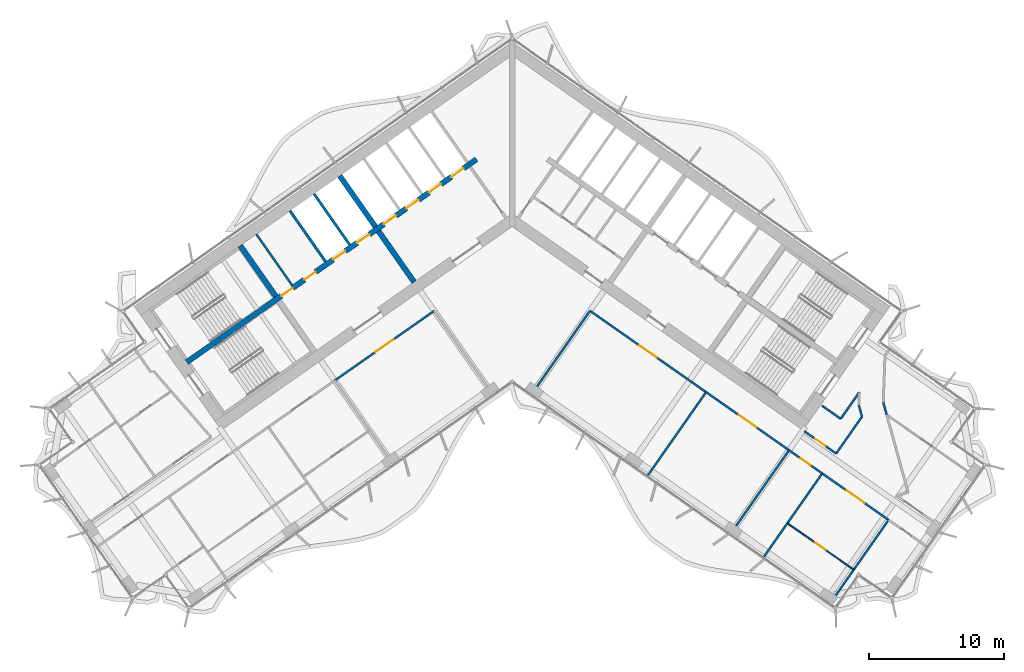
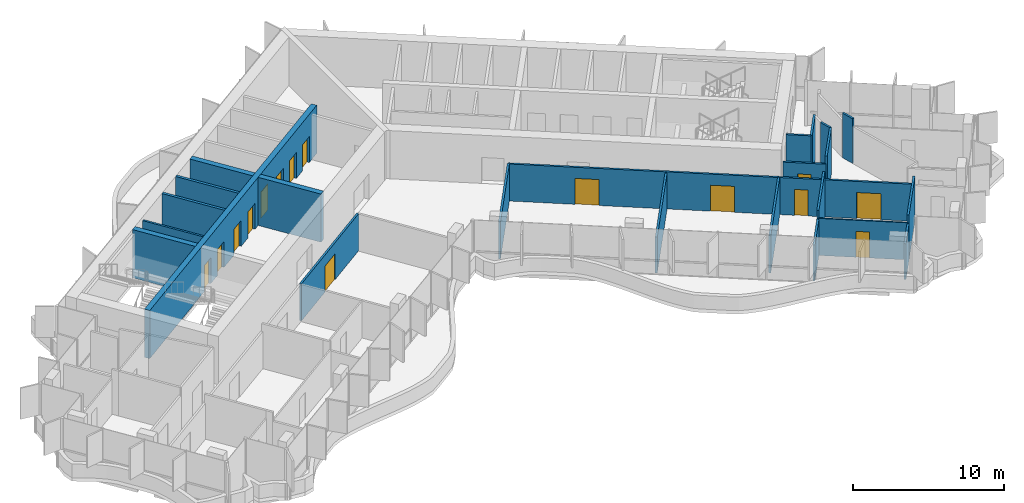
# One storey, part 13 of 21: 26 walls, 15 doors, 15 openings.
"""IFC4 building model written with IfcOpenShell, lengths in metres."""

from ifc_helpers import new_model, si_unit, direction, frame, frame_2d, origin, place, context, subcontext, project, spatial, polyline, rectangle, outline, extrude, material, layer, layer_set, type_object, element, fill, save


model = new_model("IFC4")

# Units and contexts
model_context = context("Model", 3, precision=1e-05, world=origin(), true_north=direction((0.0, 1.0)))
body_context = subcontext(model_context, "Body", "Model", "MODEL_VIEW")
ifc_project = project(units=[si_unit("LENGTHUNIT", "METRE"), si_unit("AREAUNIT", "SQUARE_METRE"), si_unit("VOLUMEUNIT", "CUBIC_METRE"), si_unit("PLANEANGLEUNIT", "RADIAN"), si_unit("MASSUNIT", "GRAM", prefix="KILO")], contexts=[model_context])

# Site, building, storey
site_placement = place(None, origin())
site = spatial("IfcSite", under=ifc_project, at=site_placement, CompositionType="ELEMENT")
building_placement = place(site_placement, origin())
building = spatial("IfcBuilding", under=site, at=building_placement, Name="Tel Ilan Convention Tower", CompositionType="ELEMENT")
storey_placement = place(building_placement, frame((0.0, 0.0, 206.10009765625)))
storey = spatial("IfcBuildingStorey", under=building, at=storey_placement, Name="L48", CompositionType="ELEMENT", Elevation=206.10009765625)

# Walls
ifc_material_1 = material(Name="Gypsum Plasterboard on Steel Stud", Category="steel")
ifc_layer_1 = layer(ifc_material_1, 0.14990234375)
ifc_layer_set_1 = layer_set([ifc_layer_1], Name="Core Room Partition Wall 150 mm EI 60")
wall_type_1 = type_object("IfcWallType", Name="Core Room Partition Wall 150 mm EI 60", PredefinedType="PARTITIONING", material=ifc_layer_set_1)
wall_1_placement = place(storey_placement, frame((-16.302001953125, -5.554931640625, 0.0), z_axis=(0.0, 0.0, 1.0), x_axis=(-0.573576324356, 0.819152122709, 0.0)))
element("IfcWall", 1, at=wall_1_placement, inside=storey, type_object=wall_type_1, Name="L48 core wall bank-W2-split", PredefinedType="PARTITIONING", context=body_context, shape_type="SweptSolid", body=[
    extrude(rectangle(XDim=4.599853515625, YDim=0.14990234375, at=frame_2d((2.2998046875, 0.0))), origin(), (0.0, 0.0, 1.0), 3.619873046875),
])
ifc_material_2 = material(Name="Concrete C50/60", Category="concrete")
ifc_layer_2 = layer(ifc_material_2, 0.39990234375)
ifc_layer_set_2 = layer_set([ifc_layer_2], Name="Core Shear Wall 400 mm C50/60")
wall_type_2 = type_object("IfcWallType", Name="Core Shear Wall 400 mm C50/60", PredefinedType="SHEAR", material=ifc_layer_set_2)
wall_2_placement = place(storey_placement, frame((-7.2578125, -5.325927734375, 0.0), z_axis=(0.0, 0.0, 1.0), x_axis=(-0.573540709186, 0.819177059558, 0.0)))
element("IfcWall", 2, at=wall_2_placement, inside=storey, type_object=wall_type_2, Name="L48 core wall W-cross1-1", PredefinedType="SHEAR", context=body_context, shape_type="SweptSolid", body=[
    extrude(outline(polyline([(4.599853515625, 0.2001953125), (-0.000244140625, 0.199951171875), (-0.000244140625, -0.2001953125), (4.599853515625, -0.199951171875), (4.599853515625, 0.2001953125)])), origin(), (0.0, 0.0, 1.0), 3.89990234375),
])
wall_3_placement = place(storey_placement, frame((-10.12548828125, -1.230224609375, 0.0), z_axis=(0.0, 0.0, 1.0), x_axis=(-0.573576324356, 0.819152122709, 0.0)))
element("IfcWall", 3, at=wall_3_placement, inside=storey, type_object=wall_type_2, Name="L48 core wall W-cross1-2", PredefinedType="SHEAR", context=body_context, shape_type="SweptSolid", body=[
    extrude(outline(polyline([(4.60009765625, -0.199951171875), (4.599853515625, 0.199951171875), (0.0, 0.2001953125), (0.0, -0.199951171875), (4.60009765625, -0.199951171875)])), origin(), (0.0, 0.0, 1.0), 3.89990234375),
])
wall_4_placement = place(storey_placement, frame((-17.497802734375, -6.392333984375, 0.0), z_axis=(0.0, 0.0, 1.0), x_axis=(-0.573611936273, 0.819127185829, 0.0)))
element("IfcWall", 4, at=wall_4_placement, inside=storey, type_object=wall_type_2, Name="L48 core wall W-cross2-2", PredefinedType="SHEAR", context=body_context, shape_type="SweptSolid", body=[
    extrude(outline(polyline([(4.599853515625, -0.2001953125), (4.599853515625, 0.199951171875), (0.0, 0.2001953125), (0.0, -0.199951171875), (4.599853515625, -0.2001953125)])), origin(), (0.0, 0.0, 1.0), 3.89990234375),
])

# Wall, openings, doors
wall_5_placement = place(storey_placement, frame((-2.638427734375, 3.76806640625, 0.0), z_axis=(0.0, 0.0, 1.0), x_axis=(-0.81915267502, -0.573575535572, 0.0)))
wall_5 = element("IfcWall", 5, at=wall_5_placement, inside=storey, type_object=wall_type_2, Name="L48 core wall W-spine", PredefinedType="SHEAR", context=body_context, shape_type="SweptSolid", body=[
    extrude(outline(polyline([(26.199951171875, 0.199951171875), (0.0, 0.199951171875), (0.0, -0.199951171875), (26.199951171875, -0.199951171875), (26.199951171875, 0.199951171875)])), origin(), (0.0, 0.0, 1.0), 3.89990234375),
])
opening_1_placement = place(wall_5_placement, frame((1.168701171875, 0.0, 0.0)))
opening_1 = element("IfcOpeningElement", 6, at=opening_1_placement, cuts=wall_5, Name="Opening LD3804", PredefinedType="OPENING", context=body_context, shape_type="SweptSolid", body=[
    extrude(rectangle(XDim=1.10009765625, YDim=2.10009765625, at=frame_2d((0.550048828125, 1.050048828125))), frame((0.0, 0.2099609375, 0.0), z_axis=(0.0, -1.0, 0.0), x_axis=(1.0, 0.0, 0.0)), (0.0, 0.0, 1.0), 0.419921875),
])
opening_2_placement = place(wall_5_placement, frame((3.206298828125, 0.0, 0.0)))
opening_2 = element("IfcOpeningElement", 7, at=opening_2_placement, cuts=wall_5, Name="Opening LD3805", PredefinedType="OPENING", context=body_context, shape_type="SweptSolid", body=[
    extrude(rectangle(XDim=1.10009765625, YDim=2.10009765625, at=frame_2d((0.550048828125, 1.050048828125))), frame((0.0, 0.2099609375, 0.0), z_axis=(0.0, -1.0, 0.0), x_axis=(1.0, 0.0, 0.0)), (0.0, 0.0, 1.0), 0.419921875),
])
opening_3_placement = place(wall_5_placement, frame((5.24365234375, 0.0, 0.0)))
opening_3 = element("IfcOpeningElement", 8, at=opening_3_placement, cuts=wall_5, Name="Opening LD3806", PredefinedType="OPENING", context=body_context, shape_type="SweptSolid", body=[
    extrude(rectangle(XDim=1.10009765625, YDim=2.10009765625, at=frame_2d((0.550048828125, 1.050048828125))), frame((0.0, 0.2099609375, 0.0), z_axis=(0.0, -1.0, 0.0), x_axis=(1.0, 0.0, 0.0)), (0.0, 0.0, 1.0), 0.419921875),
])
opening_4_placement = place(wall_5_placement, frame((7.28125, 0.0, 0.0)))
opening_4 = element("IfcOpeningElement", 9, at=opening_4_placement, cuts=wall_5, Name="Opening LD3807", PredefinedType="OPENING", context=body_context, shape_type="SweptSolid", body=[
    extrude(rectangle(XDim=1.10009765625, YDim=2.10009765625, at=frame_2d((0.550048828125, 1.050048828125))), frame((0.0, 0.2099609375, 0.0), z_axis=(0.0, -1.0, 0.0), x_axis=(1.0, 0.0, 0.0)), (0.0, 0.0, 1.0), 0.419921875),
])
opening_5_placement = place(wall_5_placement, frame((9.6875, 0.0, 0.0)))
opening_5 = element("IfcOpeningElement", 10, at=opening_5_placement, cuts=wall_5, Name="Opening LD3808", PredefinedType="OPENING", context=body_context, shape_type="SweptSolid", body=[
    extrude(rectangle(XDim=1.10009765625, YDim=2.10009765625, at=frame_2d((0.550048828125, 1.050048828125))), frame((0.0, 0.2099609375, 0.0), z_axis=(0.0, -1.0, 0.0), x_axis=(1.0, 0.0, 0.0)), (0.0, 0.0, 1.0), 0.419921875),
])
opening_6_placement = place(wall_5_placement, frame((11.862548828125, 0.0, 0.0)))
opening_6 = element("IfcOpeningElement", 11, at=opening_6_placement, cuts=wall_5, Name="Opening LD3809", PredefinedType="OPENING", context=body_context, shape_type="SweptSolid", body=[
    extrude(rectangle(XDim=1.10009765625, YDim=2.10009765625, at=frame_2d((0.550048828125, 1.050048828125))), frame((0.0, 0.2099609375, 0.0), z_axis=(0.0, -1.0, 0.0), x_axis=(1.0, 0.0, 0.0)), (0.0, 0.0, 1.0), 0.419921875),
])
opening_7_placement = place(wall_5_placement, frame((14.552490234375, 0.0, 0.0)))
opening_7 = element("IfcOpeningElement", 12, at=opening_7_placement, cuts=wall_5, Name="Opening CD3808", PredefinedType="OPENING", context=body_context, shape_type="SweptSolid", body=[
    extrude(rectangle(XDim=1.0, YDim=2.10009765625, at=frame_2d((0.5, 1.050048828125))), frame((0.0, 0.2099609375, 0.0), z_axis=(0.0, -1.0, 0.0), x_axis=(1.0, 0.0, 0.0)), (0.0, 0.0, 1.0), 0.419921875),
])
opening_8_placement = place(wall_5_placement, frame((16.62744140625, 0.0, 0.0)))
opening_8 = element("IfcOpeningElement", 13, at=opening_8_placement, cuts=wall_5, Name="Opening CD3809", PredefinedType="OPENING", context=body_context, shape_type="SweptSolid", body=[
    extrude(rectangle(XDim=1.0, YDim=2.10009765625, at=frame_2d((0.5, 1.050048828125))), frame((0.0, 0.2099609375, 0.0), z_axis=(0.0, -1.0, 0.0), x_axis=(1.0, 0.0, 0.0)), (0.0, 0.0, 1.0), 0.419921875),
])
ifc_material_3 = material(Name="Stainless Steel Sliding Door Leaf", Category="steel")
door_type_1 = type_object("IfcDoorType", Name="Lift Landing Door 1100 x 2100 FD120", OperationType="NOTDEFINED", PredefinedType="DOOR", material=ifc_material_3)
door_1_placement = place(opening_1_placement, origin())
door_1 = element("IfcDoor", 14, at=door_1_placement, inside=storey, type_object=door_type_1, Name="Lift LR1 landing door", OperationType="SLIDING_TO_LEFT", OverallHeight=2.10009765625, OverallWidth=1.10009765625, PredefinedType="DOOR", context=body_context, shape_type="SweptSolid", body=[
    extrude(rectangle(XDim=1.10009765625, YDim=2.10009765625, at=frame_2d((0.550048828125, 1.050048828125))), frame((0.0, 0.02490234375, 0.0), z_axis=(0.0, -1.0, 0.0), x_axis=(1.0, 0.0, 0.0)), (0.0, 0.0, 1.0), 0.050048828125),
])
fill(opening_1, door_1)
door_2_placement = place(opening_2_placement, origin())
door_2 = element("IfcDoor", 15, at=door_2_placement, inside=storey, type_object=door_type_1, Name="Lift LR2 landing door", OperationType="SLIDING_TO_RIGHT", OverallHeight=2.10009765625, OverallWidth=1.10009765625, PredefinedType="DOOR", context=body_context, shape_type="SweptSolid", body=[
    extrude(rectangle(XDim=1.10009765625, YDim=2.10009765625, at=frame_2d((0.550048828125, 1.050048828125))), frame((0.0, 0.02490234375, 0.0), z_axis=(0.0, -1.0, 0.0), x_axis=(1.0, 0.0, 0.0)), (0.0, 0.0, 1.0), 0.050048828125),
])
fill(opening_2, door_2)
door_3_placement = place(opening_3_placement, origin())
door_3 = element("IfcDoor", 16, at=door_3_placement, inside=storey, type_object=door_type_1, Name="Lift LR3 landing door", OperationType="SLIDING_TO_LEFT", OverallHeight=2.10009765625, OverallWidth=1.10009765625, PredefinedType="DOOR", context=body_context, shape_type="SweptSolid", body=[
    extrude(rectangle(XDim=1.10009765625, YDim=2.10009765625, at=frame_2d((0.550048828125, 1.050048828125))), frame((0.0, 0.02490234375, 0.0), z_axis=(0.0, -1.0, 0.0), x_axis=(1.0, 0.0, 0.0)), (0.0, 0.0, 1.0), 0.050048828125),
])
fill(opening_3, door_3)
door_4_placement = place(opening_4_placement, origin())
door_4 = element("IfcDoor", 17, at=door_4_placement, inside=storey, type_object=door_type_1, Name="Lift LR4 landing door", OperationType="SLIDING_TO_RIGHT", OverallHeight=2.10009765625, OverallWidth=1.10009765625, PredefinedType="DOOR", context=body_context, shape_type="SweptSolid", body=[
    extrude(rectangle(XDim=1.10009765625, YDim=2.10009765625, at=frame_2d((0.550048828125, 1.050048828125))), frame((0.0, 0.02490234375, 0.0), z_axis=(0.0, -1.0, 0.0), x_axis=(1.0, 0.0, 0.0)), (0.0, 0.0, 1.0), 0.050048828125),
])
fill(opening_4, door_4)
door_5_placement = place(opening_5_placement, origin())
door_5 = element("IfcDoor", 18, at=door_5_placement, inside=storey, type_object=door_type_1, Name="Lift LR5 landing door", OperationType="SLIDING_TO_LEFT", OverallHeight=2.10009765625, OverallWidth=1.10009765625, PredefinedType="DOOR", context=body_context, shape_type="SweptSolid", body=[
    extrude(rectangle(XDim=1.10009765625, YDim=2.10009765625, at=frame_2d((0.550048828125, 1.050048828125))), frame((0.0, 0.02490234375, 0.0), z_axis=(0.0, -1.0, 0.0), x_axis=(1.0, 0.0, 0.0)), (0.0, 0.0, 1.0), 0.050048828125),
])
fill(opening_5, door_5)
door_6_placement = place(opening_6_placement, origin())
door_6 = element("IfcDoor", 19, at=door_6_placement, inside=storey, type_object=door_type_1, Name="Lift LR6 landing door", OperationType="SLIDING_TO_RIGHT", OverallHeight=2.10009765625, OverallWidth=1.10009765625, PredefinedType="DOOR", context=body_context, shape_type="SweptSolid", body=[
    extrude(rectangle(XDim=1.10009765625, YDim=2.10009765625, at=frame_2d((0.550048828125, 1.050048828125))), frame((0.0, 0.02490234375, 0.0), z_axis=(0.0, -1.0, 0.0), x_axis=(1.0, 0.0, 0.0)), (0.0, 0.0, 1.0), 0.050048828125),
])
fill(opening_6, door_6)
ifc_material_4 = material(Name="Galvanised Steel Door Leaf", Category="steel")
door_type_2 = type_object("IfcDoorType", Name="Service Room Door 1000 x 2100 FD60", OperationType="NOTDEFINED", PredefinedType="DOOR", material=ifc_material_4)
door_7_placement = place(opening_7_placement, origin())
door_7 = element("IfcDoor", 20, at=door_7_placement, inside=storey, type_object=door_type_2, Name="Plant Room door", OperationType="SINGLE_SWING_RIGHT", OverallHeight=2.10009765625, OverallWidth=1.0, PredefinedType="DOOR", context=body_context, shape_type="SweptSolid", body=[
    extrude(rectangle(XDim=1.0, YDim=2.10009765625, at=frame_2d((0.5, 1.050048828125))), frame((0.0, 0.02490234375, 0.0), z_axis=(0.0, -1.0, 0.0), x_axis=(1.0, 0.0, 0.0)), (0.0, 0.0, 1.0), 0.050048828125),
])
fill(opening_7, door_7)
door_8_placement = place(opening_8_placement, origin())
door_8 = element("IfcDoor", 21, at=door_8_placement, inside=storey, type_object=door_type_2, Name="Plant Room door", OperationType="SINGLE_SWING_RIGHT", OverallHeight=2.10009765625, OverallWidth=1.0, PredefinedType="DOOR", context=body_context, shape_type="SweptSolid", body=[
    extrude(rectangle(XDim=1.0, YDim=2.10009765625, at=frame_2d((0.5, 1.050048828125))), frame((0.0, 0.02490234375, 0.0), z_axis=(0.0, -1.0, 0.0), x_axis=(1.0, 0.0, 0.0)), (0.0, 0.0, 1.0), 0.050048828125),
])
fill(opening_8, door_8)

# Wall, opening, door
ifc_material_5 = material(Name="Plasterboard on Steel Studs", Category="steel")
ifc_layer_3 = layer(ifc_material_5, 0.14990234375)
ifc_layer_set_3 = layer_set([ifc_layer_3], Name="Fire-rated Partition 150 EI 60")
wall_type_3 = type_object("IfcWallType", Name="Fire-rated Partition 150 EI 60", PredefinedType="PARTITIONING", material=ifc_layer_set_3)
wall_6_placement = place(storey_placement, frame((21.641845703125, -16.37451171875, 0.0), z_axis=(0.0, 0.0, 1.0), x_axis=(0.819152318696, -0.573576044456, 0.0)))
wall_6 = element("IfcWall", 22, at=wall_6_placement, inside=storey, type_object=wall_type_3, Name="Partition 001", PredefinedType="PARTITIONING", context=body_context, shape_type="SweptSolid", body=[
    extrude(rectangle(XDim=2.882080078125, YDim=0.14990234375, at=frame_2d((1.44091796875, 0.0))), origin(), (0.0, 0.0, 1.0), 3.0),
])
opening_9_placement = place(wall_6_placement, frame((0.990966796875, 0.0, 0.0)))
opening_9 = element("IfcOpeningElement", 23, at=opening_9_placement, cuts=wall_6, Name="Opening L48-018", PredefinedType="OPENING", context=body_context, shape_type="SweptSolid", body=[
    extrude(rectangle(XDim=0.89990234375, YDim=2.10009765625, at=frame_2d((0.449951171875, 1.050048828125))), frame((0.0, 0.0849609375, 0.0), z_axis=(0.0, -1.0, 0.0), x_axis=(1.0, 0.0, 0.0)), (0.0, 0.0, 1.0), 0.169921875),
])
ifc_material_6 = material(Name="Timber Door Leaf in Steel Frame", Category="steel")
door_type_3 = type_object("IfcDoorType", Name="Room Fire Door 900x2100", OperationType="NOTDEFINED", PredefinedType="DOOR", material=ifc_material_6)
door_9_placement = place(opening_9_placement, origin())
door_9 = element("IfcDoor", 24, at=door_9_placement, inside=storey, type_object=door_type_3, Name="Door L48-018", OperationType="SINGLE_SWING_RIGHT", OverallHeight=2.10009765625, OverallWidth=0.89990234375, PredefinedType="DOOR", context=body_context, shape_type="SweptSolid", body=[
    extrude(rectangle(XDim=0.89990234375, YDim=2.10009765625, at=frame_2d((0.449951171875, 1.050048828125))), frame((0.0, 0.02490234375, 0.0), z_axis=(0.0, -1.0, 0.0), x_axis=(1.0, 0.0, 0.0)), (0.0, 0.0, 1.0), 0.050048828125),
])
fill(opening_9, door_9)

wall_7_placement = place(storey_placement, frame((14.369140625, -13.4794921875, 0.0), z_axis=(0.0, 0.0, 1.0), x_axis=(-0.819154371039, 0.573573113393, 0.0)))
wall_7 = element("IfcWall", 25, at=wall_7_placement, inside=storey, type_object=wall_type_3, Name="Partition 003", PredefinedType="PARTITIONING", context=body_context, shape_type="SweptSolid", body=[
    extrude(rectangle(XDim=10.501953125, YDim=0.14990234375, at=frame_2d((5.2509765625, 0.0))), origin(), (0.0, 0.0, 1.0), 3.0),
])
opening_10_placement = place(wall_7_placement, frame((4.450927734375, 0.0, 0.0)))
opening_10 = element("IfcOpeningElement", 26, at=opening_10_placement, cuts=wall_7, Name="Opening L48-012", PredefinedType="OPENING", context=body_context, shape_type="SweptSolid", body=[
    extrude(rectangle(XDim=1.60009765625, YDim=2.10009765625, at=frame_2d((0.800048828125, 1.050048828125))), frame((0.0, 0.0849609375, 0.0), z_axis=(0.0, -1.0, 0.0), x_axis=(1.0, 0.0, 0.0)), (0.0, 0.0, 1.0), 0.169921875),
])
ifc_material_7 = material(Name="Timber Door Leaf in Steel Frame", Category="steel")
door_type_4 = type_object("IfcDoorType", Name="Tenant Suite Entrance Fire Door 1600x2100", OperationType="NOTDEFINED", PredefinedType="DOOR", material=ifc_material_7)
door_10_placement = place(opening_10_placement, origin())
door_10 = element("IfcDoor", 27, at=door_10_placement, inside=storey, type_object=door_type_4, Name="Door L48-012", OperationType="DOUBLE_DOOR_SINGLE_SWING", OverallHeight=2.10009765625, OverallWidth=1.60009765625, PredefinedType="DOOR", context=body_context, shape_type="SweptSolid", body=[
    extrude(rectangle(XDim=1.60009765625, YDim=2.10009765625, at=frame_2d((0.800048828125, 1.050048828125))), frame((0.0, 0.02490234375, 0.0), z_axis=(0.0, -1.0, 0.0), x_axis=(1.0, 0.0, 0.0)), (0.0, 0.0, 1.0), 0.050048828125),
])
fill(opening_10, door_10)

wall_8_placement = place(storey_placement, frame((20.5126953125, -17.78125, 0.0), z_axis=(0.0, 0.0, 1.0), x_axis=(-0.819164661457, 0.573558416746, 0.0)))
wall_8 = element("IfcWall", 28, at=wall_8_placement, inside=storey, type_object=wall_type_3, Name="Partition 004", PredefinedType="PARTITIONING", context=body_context, shape_type="SweptSolid", body=[
    extrude(rectangle(XDim=7.50390625, YDim=0.14990234375, at=frame_2d((3.751953125, 0.0))), origin(), (0.0, 0.0, 1.0), 3.0),
])
opening_11_placement = place(wall_8_placement, frame((2.951904296875, 0.0, 0.0)))
opening_11 = element("IfcOpeningElement", 29, at=opening_11_placement, cuts=wall_8, Name="Opening L48-013", PredefinedType="OPENING", context=body_context, shape_type="SweptSolid", body=[
    extrude(rectangle(XDim=1.60009765625, YDim=2.10009765625, at=frame_2d((0.800048828125, 1.050048828125))), frame((0.0, 0.0849609375, 0.0), z_axis=(0.0, -1.0, 0.0), x_axis=(1.0, 0.0, 0.0)), (0.0, 0.0, 1.0), 0.169921875),
])
door_11_placement = place(opening_11_placement, origin())
door_11 = element("IfcDoor", 30, at=door_11_placement, inside=storey, type_object=door_type_4, Name="Door L48-013", OperationType="DOUBLE_DOOR_SINGLE_SWING", OverallHeight=2.10009765625, OverallWidth=1.60009765625, PredefinedType="DOOR", context=body_context, shape_type="SweptSolid", body=[
    extrude(rectangle(XDim=1.60009765625, YDim=2.10009765625, at=frame_2d((0.800048828125, 1.050048828125))), frame((0.0, 0.02490234375, 0.0), z_axis=(0.0, -1.0, 0.0), x_axis=(1.0, 0.0, 0.0)), (0.0, 0.0, 1.0), 0.050048828125),
])
fill(opening_11, door_11)

wall_9_placement = place(storey_placement, frame((22.97021484375, -19.502197265625, 0.0), z_axis=(0.0, 0.0, 1.0), x_axis=(-0.819128818764, 0.573609604409, 0.0)))
wall_9 = element("IfcWall", 31, at=wall_9_placement, inside=storey, type_object=wall_type_3, Name="Partition 005", PredefinedType="PARTITIONING", context=body_context, shape_type="SweptSolid", body=[
    extrude(rectangle(XDim=3.004150390625, YDim=0.14990234375, at=frame_2d((1.501953125, 0.0))), origin(), (0.0, 0.0, 1.0), 3.0),
])
opening_12_placement = place(wall_9_placement, frame((1.052001953125, 0.0, 0.0)))
opening_12 = element("IfcOpeningElement", 32, at=opening_12_placement, cuts=wall_9, Name="Opening L48-014", PredefinedType="OPENING", context=body_context, shape_type="SweptSolid", body=[
    extrude(rectangle(XDim=0.89990234375, YDim=2.10009765625, at=frame_2d((0.449951171875, 1.050048828125))), frame((0.0, 0.0849609375, 0.0), z_axis=(0.0, -1.0, 0.0), x_axis=(1.0, 0.0, 0.0)), (0.0, 0.0, 1.0), 0.169921875),
])
door_12_placement = place(opening_12_placement, origin())
door_12 = element("IfcDoor", 33, at=door_12_placement, inside=storey, type_object=door_type_3, Name="Door L48-014", OperationType="SINGLE_SWING_LEFT", OverallHeight=2.10009765625, OverallWidth=0.89990234375, PredefinedType="DOOR", context=body_context, shape_type="SweptSolid", body=[
    extrude(rectangle(XDim=0.89990234375, YDim=2.10009765625, at=frame_2d((0.449951171875, 1.050048828125))), frame((0.0, 0.02490234375, 0.0), z_axis=(0.0, -1.0, 0.0), x_axis=(1.0, 0.0, 0.0)), (0.0, 0.0, 1.0), 0.050048828125),
])
fill(opening_12, door_12)

wall_10_placement = place(storey_placement, frame((27.885009765625, -22.943603515625, 0.0), z_axis=(0.0, 0.0, 1.0), x_axis=(-0.819145946981, 0.573585144111, 0.0)))
wall_10 = element("IfcWall", 34, at=wall_10_placement, inside=storey, type_object=wall_type_3, Name="Partition 006", PredefinedType="PARTITIONING", context=body_context, shape_type="SweptSolid", body=[
    extrude(rectangle(XDim=6.004150390625, YDim=0.14990234375, at=frame_2d((3.001953125, 0.0))), origin(), (0.0, 0.0, 1.0), 3.0),
])
opening_13_placement = place(wall_10_placement, frame((2.201904296875, 0.0, 0.0)))
opening_13 = element("IfcOpeningElement", 35, at=opening_13_placement, cuts=wall_10, Name="Opening L48-015", PredefinedType="OPENING", context=body_context, shape_type="SweptSolid", body=[
    extrude(rectangle(XDim=1.60009765625, YDim=2.10009765625, at=frame_2d((0.800048828125, 1.050048828125))), frame((0.0, 0.0849609375, 0.0), z_axis=(0.0, -1.0, 0.0), x_axis=(1.0, 0.0, 0.0)), (0.0, 0.0, 1.0), 0.169921875),
])
door_13_placement = place(opening_13_placement, origin())
door_13 = element("IfcDoor", 36, at=door_13_placement, inside=storey, type_object=door_type_4, Name="Door L48-015", OperationType="DOUBLE_DOOR_SINGLE_SWING", OverallHeight=2.10009765625, OverallWidth=1.60009765625, PredefinedType="DOOR", context=body_context, shape_type="SweptSolid", body=[
    extrude(rectangle(XDim=1.60009765625, YDim=2.10009765625, at=frame_2d((0.800048828125, 1.050048828125))), frame((0.0, 0.02490234375, 0.0), z_axis=(0.0, -1.0, 0.0), x_axis=(1.0, 0.0, 0.0)), (0.0, 0.0, 1.0), 0.050048828125),
])
fill(opening_13, door_13)

wall_11_placement = place(storey_placement, frame((-5.766357421875, -7.455810546875, 0.0), z_axis=(0.0, 0.0, 1.0), x_axis=(-0.81915291695, -0.57357519006, 0.0)))
wall_11 = element("IfcWall", 37, at=wall_11_placement, inside=storey, type_object=wall_type_3, Name="Partition 010", PredefinedType="PARTITIONING", context=body_context, shape_type="SweptSolid", body=[
    extrude(rectangle(XDim=9.001953125, YDim=0.14990234375, at=frame_2d((4.5009765625, 0.0))), origin(), (0.0, 0.0, 1.0), 3.0),
])
opening_14_placement = place(wall_11_placement, frame((3.700927734375, 0.0, 0.0)))
opening_14 = element("IfcOpeningElement", 38, at=opening_14_placement, cuts=wall_11, Name="Opening L48-001", PredefinedType="OPENING", context=body_context, shape_type="SweptSolid", body=[
    extrude(rectangle(XDim=1.60009765625, YDim=2.10009765625, at=frame_2d((0.800048828125, 1.050048828125))), frame((0.0, 0.0849609375, 0.0), z_axis=(0.0, -1.0, 0.0), x_axis=(1.0, 0.0, 0.0)), (0.0, 0.0, 1.0), 0.169921875),
])
door_14_placement = place(opening_14_placement, origin())
door_14 = element("IfcDoor", 39, at=door_14_placement, inside=storey, type_object=door_type_4, Name="Door L48-001", OperationType="DOUBLE_DOOR_SINGLE_SWING", OverallHeight=2.10009765625, OverallWidth=1.60009765625, PredefinedType="DOOR", context=body_context, shape_type="SweptSolid", body=[
    extrude(rectangle(XDim=1.60009765625, YDim=2.10009765625, at=frame_2d((0.800048828125, 1.050048828125))), frame((0.0, 0.02490234375, 0.0), z_axis=(0.0, -1.0, 0.0), x_axis=(1.0, 0.0, 0.0)), (0.0, 0.0, 1.0), 0.050048828125),
])
fill(opening_14, door_14)

# Walls
wall_12_placement = place(storey_placement, frame((25.677490234375, -14.44580078125, 0.0), z_axis=(0.0, 0.0, 1.0), x_axis=(0.266017607409, -0.963968169883, 0.0)))
element("IfcWall", 40, at=wall_12_placement, inside=storey, type_object=wall_type_3, Name="Partition 015", PredefinedType="PARTITIONING", context=body_context, shape_type="SweptSolid", body=[
    extrude(rectangle(XDim=0.8828125, YDim=0.14990234375, at=frame_2d((0.44140625, 0.0))), origin(), (0.0, 0.0, 1.0), 3.619873046875),
])
wall_13_placement = place(storey_placement, frame((25.912353515625, -15.296875, 0.0), z_axis=(0.0, 0.0, 1.0), x_axis=(-0.573609853161, -0.819128644571, 0.0)))
element("IfcWall", 41, at=wall_13_placement, inside=storey, type_object=wall_type_3, Name="Partition 016", PredefinedType="PARTITIONING", context=body_context, shape_type="SweptSolid", body=[
    extrude(rectangle(XDim=3.332275390625, YDim=0.14990234375, at=frame_2d((1.666015625, 0.0))), origin(), (0.0, 0.0, 1.0), 3.619873046875),
])
wall_14_placement = place(storey_placement, frame((22.961181640625, -14.490478515625, 0.0), z_axis=(0.0, 0.0, 1.0), x_axis=(0.819109000826, -0.573637903879, 0.0)))
element("IfcWall", 42, at=wall_14_placement, inside=storey, type_object=wall_type_3, Name="Partition 017", PredefinedType="PARTITIONING", context=body_context, shape_type="SweptSolid", body=[
    extrude(rectangle(XDim=1.679931640625, YDim=0.14990234375, at=frame_2d((0.83984375, 0.0))), origin(), (0.0, 0.0, 1.0), 3.619873046875),
])
wall_15_placement = place(storey_placement, frame((24.337158203125, -15.4541015625, 0.0), z_axis=(0.0, 0.0, 1.0), x_axis=(0.573605802776, 0.819131480912, 0.0)))
element("IfcWall", 43, at=wall_15_placement, inside=storey, type_object=wall_type_3, Name="Partition 018", PredefinedType="PARTITIONING", context=body_context, shape_type="SweptSolid", body=[
    extrude(rectangle(XDim=2.3984375, YDim=0.14990234375, at=frame_2d((1.19921875, 0.0))), origin(), (0.0, 0.0, 1.0), 3.619873046875),
])
wall_16_placement = place(storey_placement, frame((27.73876953125, -15.14892578125, 0.0), z_axis=(0.0, 0.0, 1.0), x_axis=(-0.265970250562, 0.963981237274, 0.0)))
element("IfcWall", 44, at=wall_16_placement, inside=storey, type_object=wall_type_3, Name="Partition 020", PredefinedType="PARTITIONING", context=body_context, shape_type="SweptSolid", body=[
    extrude(rectangle(XDim=0.9482421875, YDim=0.14990234375, at=frame_2d((0.47412109375, 0.0))), origin(), (0.0, 0.0, 1.0), 3.619873046875),
])
wall_17_placement = place(storey_placement, frame((14.367431640625, -13.478515625, 0.0), z_axis=(0.0, 0.0, 1.0), x_axis=(-0.573575945067, -0.81915238829, 0.0)))
element("IfcWall", 45, at=wall_17_placement, inside=storey, type_object=wall_type_3, Name="Partition 025", PredefinedType="PARTITIONING", context=body_context, shape_type="SweptSolid", body=[
    extrude(rectangle(XDim=7.5, YDim=0.14990234375, at=frame_2d((3.75, 0.0))), origin(), (0.0, 0.0, 1.0), 2.89990234375),
])
for number, where, z_axis, x_axis, name in (
    (46, (1.848876953125, -13.050537109375, 0.0), (0.0, 0.0, 1.0), (0.573577493031, 0.819151304393, 0.0), "Partition 026"),
    (47, (20.510986328125, -17.7802734375, 0.0), (0.0, 0.0, 1.0), (-0.573577493031, -0.819151304393, 0.0), "Partition 027"),
):
    element("IfcWall", number, at=place(storey_placement, frame(where, z_axis=z_axis, x_axis=x_axis)), inside=storey, type_object=wall_type_3, Name=name, PredefinedType="PARTITIONING", context=body_context, shape_type="SweptSolid", body=[
        extrude(rectangle(XDim=6.829833984375, YDim=0.14990234375, at=frame_2d((3.4150390625, 0.0))), origin(), (0.0, 0.0, 1.0), 3.0),
    ])
wall_18_placement = place(storey_placement, frame((20.387939453125, -23.186279296875, 0.0), z_axis=(0.0, 0.0, 1.0), x_axis=(-0.573555162214, -0.819166940189, 0.0)))
element("IfcWall", 48, at=wall_18_placement, inside=storey, type_object=wall_type_3, Name="Partition 028", PredefinedType="PARTITIONING", context=body_context, shape_type="SweptSolid", body=[
    extrude(rectangle(XDim=3.0009765625, YDim=0.14990234375, at=frame_2d((1.50048828125, 0.0))), origin(), (0.0, 0.0, 1.0), 2.89990234375),
])
wall_19_placement = place(storey_placement, frame((22.968505859375, -19.5009765625, 0.0), z_axis=(0.0, 0.0, 1.0), x_axis=(-0.573589723117, -0.819142740634, 0.0)))
element("IfcWall", 49, at=wall_19_placement, inside=storey, type_object=wall_type_3, Name="Partition 029", PredefinedType="PARTITIONING", context=body_context, shape_type="SweptSolid", body=[
    extrude(rectangle(XDim=4.501953125, YDim=0.14990234375, at=frame_2d((2.2509765625, 0.0))), origin(), (0.0, 0.0, 1.0), 3.619873046875),
])
wall_20_placement = place(storey_placement, frame((25.3017578125, -26.62939453125, 0.0), z_axis=(0.0, 0.0, 1.0), x_axis=(-0.573617113266, -0.819123560501, 0.0)))
element("IfcWall", 50, at=wall_20_placement, inside=storey, type_object=wall_type_3, Name="Partition 031", PredefinedType="PARTITIONING", context=body_context, shape_type="SweptSolid", body=[
    extrude(rectangle(XDim=2.328857421875, YDim=0.14990234375, at=frame_2d((1.16455078125, 0.0))), origin(), (0.0, 0.0, 1.0), 2.89990234375),
])
wall_21_placement = place(storey_placement, frame((27.883544921875, -22.9423828125, 0.0), z_axis=(0.0, 0.0, 1.0), x_axis=(-0.573560650686, -0.819163097304, 0.0)))
element("IfcWall", 51, at=wall_21_placement, inside=storey, type_object=wall_type_3, Name="Partition 032", PredefinedType="PARTITIONING", context=body_context, shape_type="SweptSolid", body=[
    extrude(rectangle(XDim=4.5, YDim=0.14990234375, at=frame_2d((2.25, 0.0))), origin(), (0.0, 0.0, 1.0), 3.619873046875),
])
ifc_material_8 = material(Name="Concrete C30/37", Category="concrete")
ifc_layer_4 = layer(ifc_material_8, 0.199951171875)
ifc_layer_set_4 = layer_set([ifc_layer_4], Name="Lift Shaft Wall 200 mm C30/37")
wall_type_4 = type_object("IfcWallType", Name="Lift Shaft Wall 200 mm C30/37", PredefinedType="SOLIDWALL", material=ifc_layer_set_4)
for number, where, z_axis, x_axis, name in (
    (52, (-12.030029296875, -2.563720703125, 0.0), (0.0, 0.0, 1.0), (-0.573576324356, 0.819152122709, 0.0), "L48 core wall bank-W2-p0"),
    (53, (-13.811767578125, -3.811279296875, 0.0), (0.0, 0.0, 1.0), (-0.573576324356, 0.819152122709, 0.0), "L48 core wall bank-W2-p1"),
):
    element("IfcWall", number, at=place(storey_placement, frame(where, z_axis=z_axis, x_axis=x_axis)), inside=storey, type_object=wall_type_4, Name=name, PredefinedType="SOLIDWALL", context=body_context, shape_type="SweptSolid", body=[
        extrude(rectangle(XDim=4.599853515625, YDim=0.199951171875, at=frame_2d((2.2998046875, 0.0))), origin(), (0.0, 0.0, 1.0), 3.89990234375),
    ])

# Wall, opening, door
ifc_material_9 = material(Name="Plasterboard on Steel Studs", Category="steel")
ifc_layer_5 = layer(ifc_material_9, 0.10009765625)
ifc_layer_set_5 = layer_set([ifc_layer_5], Name="Plasterboard Partition 100")
wall_type_5 = type_object("IfcWallType", Name="Plasterboard Partition 100", PredefinedType="PARTITIONING", material=ifc_layer_set_5)
wall_22_placement = place(storey_placement, frame((25.3017578125, -26.62939453125, 0.0), z_axis=(0.0, 0.0, 1.0), x_axis=(-0.819149710902, 0.573579768758, 0.0)))
wall_22 = element("IfcWall", 54, at=wall_22_placement, inside=storey, type_object=wall_type_5, Name="Partition 030", PredefinedType="PARTITIONING", context=body_context, shape_type="SweptSolid", body=[
    extrude(rectangle(XDim=5.999755859375, YDim=0.10009765625, at=frame_2d((3.0, 0.0))), origin(), (0.0, 0.0, 1.0), 3.0),
])
opening_15_placement = place(wall_22_placement, frame((2.550048828125, 0.0, 0.0)))
opening_15 = element("IfcOpeningElement", 55, at=opening_15_placement, cuts=wall_22, Name="Opening L48-016", PredefinedType="OPENING", context=body_context, shape_type="SweptSolid", body=[
    extrude(rectangle(XDim=0.89990234375, YDim=2.10009765625, at=frame_2d((0.449951171875, 1.050048828125))), frame((0.0, 0.06005859375, 0.0), z_axis=(0.0, -1.0, 0.0), x_axis=(1.0, 0.0, 0.0)), (0.0, 0.0, 1.0), 0.1201171875),
])
ifc_material_10 = material(Name="Timber Door Leaf in Steel Frame", Category="steel")
door_type_5 = type_object("IfcDoorType", Name="Room Timber Door 900x2100", OperationType="NOTDEFINED", PredefinedType="DOOR", material=ifc_material_10)
door_15_placement = place(opening_15_placement, origin())
door_15 = element("IfcDoor", 56, at=door_15_placement, inside=storey, type_object=door_type_5, Name="Door L48-016", OperationType="SINGLE_SWING_RIGHT", OverallHeight=2.10009765625, OverallWidth=0.89990234375, PredefinedType="DOOR", context=body_context, shape_type="SweptSolid", body=[
    extrude(rectangle(XDim=0.89990234375, YDim=2.10009765625, at=frame_2d((0.449951171875, 1.050048828125))), frame((0.0, 0.02490234375, 0.0), z_axis=(0.0, -1.0, 0.0), x_axis=(1.0, 0.0, 0.0)), (0.0, 0.0, 1.0), 0.050048828125),
])
fill(opening_15, door_15)

save(model, "model.ifc")
